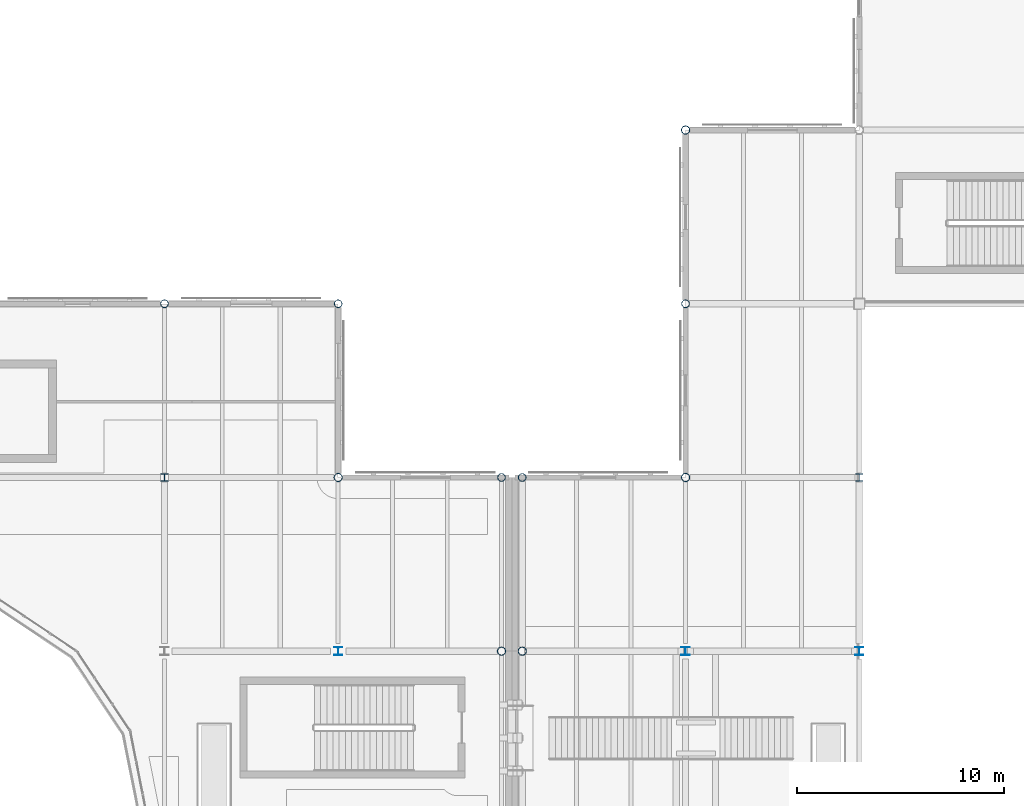
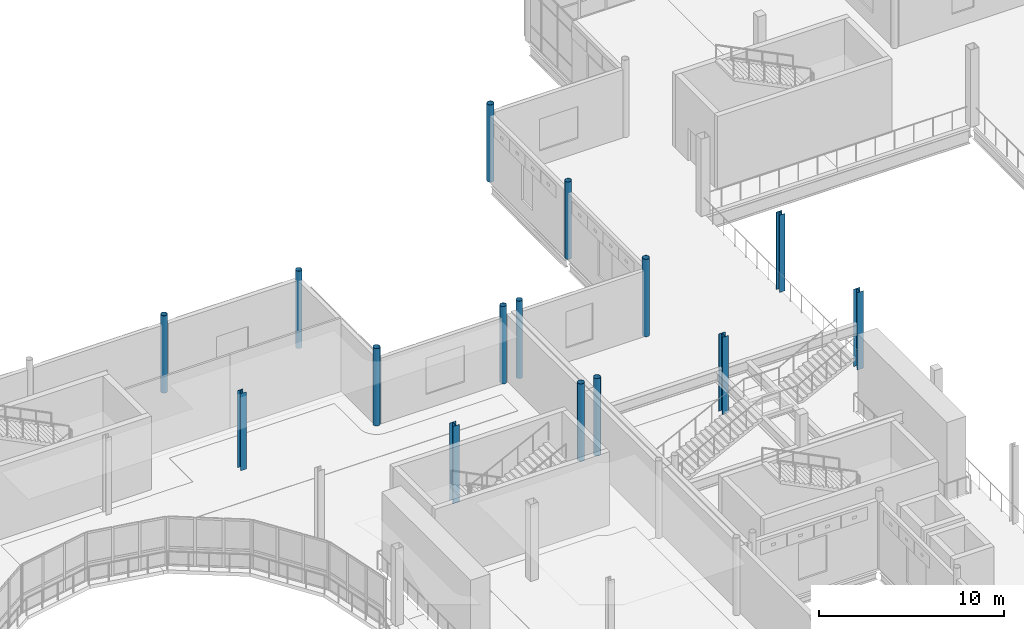
# One storey, part 7 of 104: 15 columns.
"""IFC4 building model written with IfcOpenShell, lengths in metres."""

from ifc_helpers import new_model, si_unit, direction, frame, origin, origin_2d, place, context, subcontext, project, spatial, hollow_circle, i_section, extrude, material, material_profile, profile_set, type_object, element, save


model = new_model("IFC4")

# Units and contexts
model_context = context("Model", 3, precision=1e-05, world=origin(), true_north=direction((0.0, 1.0)))
body_context = subcontext(model_context, "Body", "Model", "MODEL_VIEW")
ifc_project = project(units=[si_unit("LENGTHUNIT", "METRE"), si_unit("AREAUNIT", "SQUARE_METRE"), si_unit("VOLUMEUNIT", "CUBIC_METRE"), si_unit("PLANEANGLEUNIT", "RADIAN"), si_unit("MASSUNIT", "GRAM", prefix="KILO"), si_unit("THERMODYNAMICTEMPERATUREUNIT", "KELVIN")], contexts=[model_context])

# Site, building, storey
site_placement = place(None, origin())
site = spatial("IfcSite", under=ifc_project, at=site_placement, CompositionType="ELEMENT")
building_placement = place(site_placement, origin())
building = spatial("IfcBuilding", under=site, at=building_placement, Name="Lustrewick Department Store", CompositionType="ELEMENT")
storey_placement = place(building_placement, frame((0.0, 0.0, 11.39990234375)))
storey = spatial("IfcBuildingStorey", under=building, at=storey_placement, Name="L03", CompositionType="ELEMENT", Elevation=11.39990234375)

# Columns
ifc_material_1 = material(Name="Structural steel Q355B", Category="steel")
ifc_material_profile_1 = material_profile(ifc_material_1, i_section(OverallWidth=0.402099609375, OverallDepth=0.387939453125, WebThickness=0.014892578125, FlangeThickness=0.014892578125, FilletRadius=0.02197265625, at=origin_2d()), Name="HW 388x402x15x15")
ifc_profile_set_1 = profile_set([ifc_material_profile_1], Name="Structural steel Q355B")
column_type_1 = type_object("IfcColumnType", Name="C12", PredefinedType="COLUMN", material=ifc_profile_set_1)
for number, where, z_axis, x_axis, name in (
    (1, (50.39990234375, 75.60009765625, 0.0), (0.0, 0.0, 1.0), (1.0, 0.0, 0.0), "L03 V1 Column C12"),
    (2, (67.199951171875, 75.60009765625, 0.0), (0.0, 0.0, 1.0), (1.0, 0.0, 0.0), "L03 V2 Column C12"),
    (3, (75.60009765625, 75.60009765625, 0.0), (0.0, 0.0, 1.0), (1.0, 0.0, 0.0), "L03 V2 Column C12"),
):
    element("IfcColumn", number, at=place(storey_placement, frame(where, z_axis=z_axis, x_axis=x_axis)), inside=storey, type_object=column_type_1, Name=name, PredefinedType="COLUMN", context=body_context, shape_type="SweptSolid", body=[
        extrude(i_section(OverallWidth=0.402099609375, OverallDepth=0.387939453125, WebThickness=0.014892578125, FlangeThickness=0.014892578125, FilletRadius=0.02197265625, at=origin_2d()), origin(), (0.0, 0.0, 1.0), 5.10009765625),
    ])
ifc_material_profile_2 = material_profile(ifc_material_1, i_section(OverallWidth=0.35009765625, OverallDepth=0.35009765625, WebThickness=0.011962890625, FlangeThickness=0.01904296875, FilletRadius=0.02001953125, at=origin_2d()), Name="HW 350x350x12x19")
ifc_profile_set_2 = profile_set([ifc_material_profile_2], Name="Structural steel Q355B")
column_type_2 = type_object("IfcColumnType", Name="C13", PredefinedType="COLUMN", material=ifc_profile_set_2)
for number, where, z_axis, x_axis, name in (
    (4, (42.0, 84.0, 0.0), (0.0, 0.0, 1.0), (1.0, 0.0, 0.0), "L03 V1 Column C13"),
    (5, (75.60009765625, 84.0, 0.0), (0.0, 0.0, 1.0), (1.0, 0.0, 0.0), "L03 V2 Column C13"),
):
    element("IfcColumn", number, at=place(storey_placement, frame(where, z_axis=z_axis, x_axis=x_axis)), inside=storey, type_object=column_type_2, Name=name, PredefinedType="COLUMN", context=body_context, shape_type="SweptSolid", body=[
        extrude(i_section(OverallWidth=0.35009765625, OverallDepth=0.35009765625, WebThickness=0.011962890625, FlangeThickness=0.01904296875, FilletRadius=0.02001953125, at=origin_2d()), origin(), (0.0, 0.0, 1.0), 5.10009765625),
    ])
ifc_material_2 = material(Name="Structural steel Q355C", Category="steel")
ifc_material_profile_3 = material_profile(ifc_material_2, hollow_circle(Radius=0.202880859375, WallThickness=0.01611328125, at=origin_2d()), Name="CHS 406x16")
ifc_profile_set_3 = profile_set([ifc_material_profile_3], Name="Structural steel Q355C")
column_type_3 = type_object("IfcColumnType", Name="CE03", PredefinedType="COLUMN", material=ifc_profile_set_3)
for number, where, z_axis, x_axis, name in (
    (6, (50.39990234375, 84.0, 0.0), (0.0, 0.0, 1.0), (1.0, 0.0, 0.0), "L03 V1 Column CE03"),
    (7, (58.300048828125, 75.60009765625, 0.0), (0.0, 0.0, 1.0), (1.0, 0.0, 0.0), "L03 V1 Column CE03"),
    (8, (59.300048828125, 75.60009765625, 0.0), (0.0, 0.0, 1.0), (1.0, 0.0, 0.0), "L03 V2 Column CE03"),
    (9, (67.199951171875, 84.0, 0.0), (0.0, 0.0, 1.0), (1.0, 0.0, 0.0), "L03 V2 Column CE03"),
    (10, (67.199951171875, 100.800048828125, 0.0), (0.0, 0.0, 1.0), (1.0, 0.0, 0.0), "L03 V2 Column CE03"),
):
    element("IfcColumn", number, at=place(storey_placement, frame(where, z_axis=z_axis, x_axis=x_axis)), inside=storey, type_object=column_type_3, Name=name, PredefinedType="COLUMN", context=body_context, shape_type="SweptSolid", body=[
        extrude(hollow_circle(Radius=0.202880859375, WallThickness=0.01611328125, at=origin_2d()), origin(), (0.0, 0.0, 1.0), 5.10009765625),
    ])
ifc_material_profile_4 = material_profile(ifc_material_1, hollow_circle(Radius=0.1884765625, WallThickness=0.013916015625, at=origin_2d()), Name="CHS 377x14")
ifc_profile_set_4 = profile_set([ifc_material_profile_4], Name="Structural steel Q355B")
column_type_4 = type_object("IfcColumnType", Name="CE04", PredefinedType="COLUMN", material=ifc_profile_set_4)
for number, where, z_axis, x_axis, name in (
    (11, (42.0, 92.39990234375, 0.0), (0.0, 0.0, 1.0), (1.0, 0.0, 0.0), "L03 V1 Column CE04"),
    (12, (50.39990234375, 92.39990234375, 0.0), (0.0, 0.0, 1.0), (1.0, 0.0, 0.0), "L03 V1 Column CE04"),
    (13, (58.300048828125, 84.0, 0.0), (0.0, 0.0, 1.0), (1.0, 0.0, 0.0), "L03 V1 Column CE04"),
    (14, (59.300048828125, 84.0, 0.0), (0.0, 0.0, 1.0), (1.0, 0.0, 0.0), "L03 V2 Column CE04"),
    (15, (67.199951171875, 92.39990234375, 0.0), (0.0, 0.0, 1.0), (1.0, 0.0, 0.0), "L03 V2 Column CE04"),
):
    element("IfcColumn", number, at=place(storey_placement, frame(where, z_axis=z_axis, x_axis=x_axis)), inside=storey, type_object=column_type_4, Name=name, PredefinedType="COLUMN", context=body_context, shape_type="SweptSolid", body=[
        extrude(hollow_circle(Radius=0.1884765625, WallThickness=0.013916015625, at=origin_2d()), origin(), (0.0, 0.0, 1.0), 5.10009765625),
    ])

save(model, "model.ifc")
